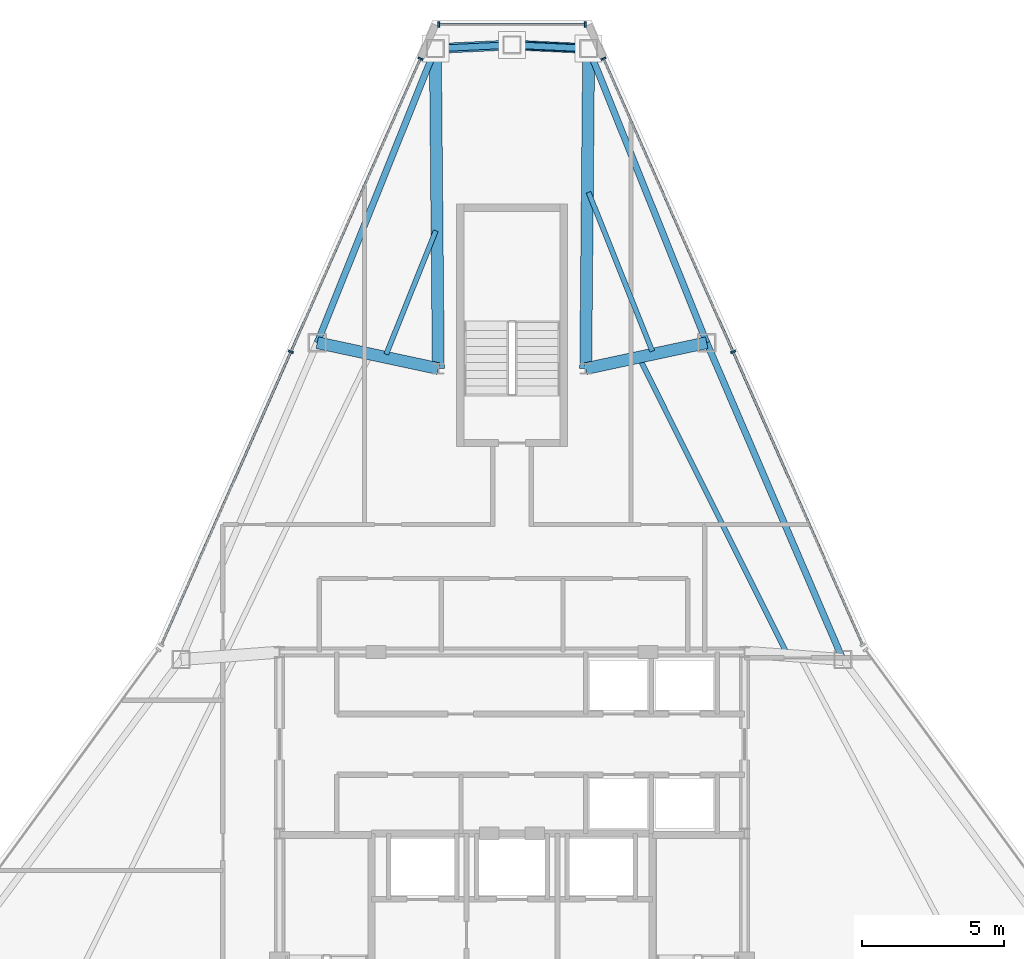
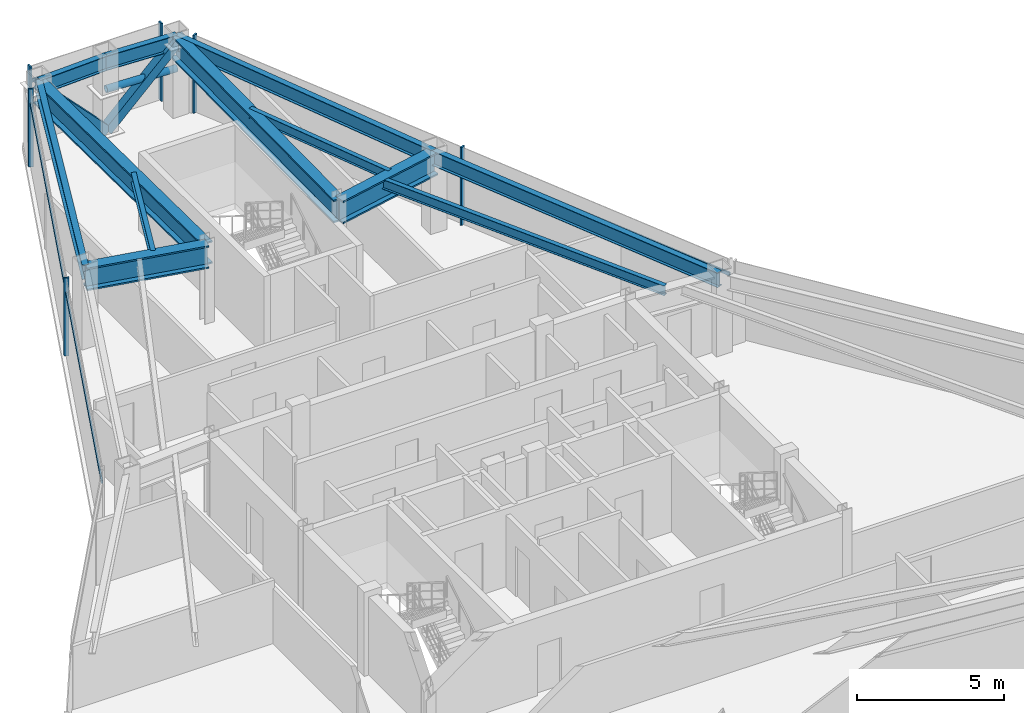
# One storey, part 7 of 12: 12 beams, 12 members, 3 elements without a shape of their own.
"""IFC4 building model written with IfcOpenShell, lengths in metres."""

from ifc_helpers import new_model, si_unit, direction, frame, origin, origin_2d, place, context, subcontext, project, spatial, rectangle, hollow_rectangle, hollow_circle, i_section, extrude, source, transform, mapped, material, layer, layer_set, material_profile, profile_set, type_object, type_shapes, element, aggregate, save


model = new_model("IFC4")

# Units and contexts
model_context = context("Model", 3, precision=1e-05, world=origin(), true_north=direction((0.0, 1.0)))
body_context = subcontext(model_context, "Body", "Model", "MODEL_VIEW")
ifc_project = project(units=[si_unit("LENGTHUNIT", "METRE"), si_unit("AREAUNIT", "SQUARE_METRE"), si_unit("VOLUMEUNIT", "CUBIC_METRE"), si_unit("PLANEANGLEUNIT", "RADIAN"), si_unit("MASSUNIT", "GRAM", prefix="KILO")], contexts=[model_context])

# Site, building, storey
site_placement = place(None, origin())
site = spatial("IfcSite", under=ifc_project, at=site_placement, CompositionType="ELEMENT")
building_placement = place(site_placement, origin())
building = spatial("IfcBuilding", under=site, at=building_placement, Name="Varakhsha Concourse Tower", CompositionType="ELEMENT")
storey_placement = place(building_placement, frame((0.0, 0.0, 265.5)))
storey = spatial("IfcBuildingStorey", under=building, at=storey_placement, Name="L75", CompositionType="ELEMENT", Elevation=265.5)

# Beams
ifc_material_1 = material(Name="Structural Steel ASTM A992 Grade 50", Category="steel")
ifc_material_profile_1 = material_profile(ifc_material_1, i_section(OverallWidth=0.177978515625, OverallDepth=0.406982421875, WebThickness=0.008056640625, FlangeThickness=0.012939453125, at=origin_2d()), Name="W16X40")
ifc_profile_set_1 = profile_set([ifc_material_profile_1], Name="Structural Steel ASTM A992 Grade 50")
beam_type_1 = type_object("IfcBeamType", Name="BM-JST-W16X40", PredefinedType="JOIST", material=ifc_profile_set_1)
beam_1_placement = place(storey_placement, frame((37.3134765625, 46.065185546875, 3.04638671875), z_axis=(-0.372581792415, -0.927999357737, 0.0), x_axis=(0.927999357737, -0.372581792415, 0.0)))
element("IfcBeam", 1, at=beam_1_placement, inside=storey, type_object=beam_type_1, Name="BM-TJST-L75-03", PredefinedType="JOIST", context=body_context, shape_type="SweptSolid", body=[
    extrude(i_section(OverallWidth=0.177978515625, OverallDepth=0.406982421875, WebThickness=0.008056640625, FlangeThickness=0.012939453125, at=origin_2d()), origin(), (0.0, 0.0, 1.0), 4.698974609375),
])
beam_2_placement = place(storey_placement, frame((49.677978515625, 31.18310546875, 3.04638671875), z_axis=(-0.446527703162, 0.894769808559, 0.0), x_axis=(-0.894769808559, -0.446527703162, 0.0)))
element("IfcBeam", 2, at=beam_2_placement, inside=storey, type_object=beam_type_1, Name="BM-TJST-L75-17", PredefinedType="JOIST", context=body_context, shape_type="SweptSolid", body=[
    extrude(i_section(OverallWidth=0.177978515625, OverallDepth=0.406982421875, WebThickness=0.008056640625, FlangeThickness=0.012939453125, at=origin_2d()), origin(), (0.0, 0.0, 1.0), 11.534912109375),
])
beam_3_placement = place(storey_placement, frame((44.949462890625, 41.814453125, 3.04638671875), z_axis=(-0.372526263969, 0.928021649884, 0.0), x_axis=(-0.928021649884, -0.372526263969, 0.0)))
element("IfcBeam", 3, at=beam_3_placement, inside=storey, type_object=beam_type_1, Name="BM-TJST-L75-18", PredefinedType="JOIST", context=body_context, shape_type="SweptSolid", body=[
    extrude(i_section(OverallWidth=0.177978515625, OverallDepth=0.406982421875, WebThickness=0.008056640625, FlangeThickness=0.012939453125, at=origin_2d()), origin(), (0.0, 0.0, 1.0), 6.04052734375),
])
ifc_material_profile_2 = material_profile(ifc_material_1, i_section(OverallWidth=0.423095703125, OverallDepth=0.947998046875, WebThickness=0.0380859375, FlangeThickness=0.06396484375, at=origin_2d()), Name="W36X302")
ifc_profile_set_2 = profile_set([ifc_material_profile_2], Name="Structural Steel ASTM A992 Grade 50")
beam_type_2 = type_object("IfcBeamType", Name="BM-OUTR-W36X302", PredefinedType="USERDEFINED", material=ifc_profile_set_2)
for number, where, z_axis, x_axis, name in (
    (4, (42.60009765625, 41.199951171875, 2.77587890625), (0.009168768167, 0.999957965962, 0.0), (-0.999957965962, 0.009168768167, 0.0), "L75 Radial Floor Girder 01"),
    (5, (37.39990234375, 41.199951171875, 2.77587890625), (-0.009168768167, 0.999957965962, 0.0), (-0.999957965962, -0.009168768167, 0.0), "L75 Radial Floor Girder 03"),
):
    element("IfcBeam", number, at=place(storey_placement, frame(where, z_axis=z_axis, x_axis=x_axis)), inside=storey, type_object=beam_type_2, Name=name, ObjectType="GIRDER", PredefinedType="USERDEFINED", context=body_context, shape_type="SweptSolid", body=[
        extrude(i_section(OverallWidth=0.423095703125, OverallDepth=0.947998046875, WebThickness=0.0380859375, FlangeThickness=0.06396484375, at=origin_2d()), origin(), (0.0, 0.0, 1.0), 11.2900390625),
    ])
for number, where, z_axis, x_axis, name in (
    (6, (37.39990234375, 41.199951171875, 2.77587890625), (-0.977799958889, 0.209540545951, 0.0), (-0.209540545951, -0.977799958889, 0.0), "L75 Radial Floor Girder 04"),
    (7, (42.60009765625, 41.199951171875, 2.77587890625), (0.977799958889, 0.209540545951, 0.0), (-0.209540545951, 0.977799958889, 0.0), "L75 Radial Floor Girder 18"),
):
    element("IfcBeam", number, at=place(storey_placement, frame(where, z_axis=z_axis, x_axis=x_axis)), inside=storey, type_object=beam_type_2, Name=name, ObjectType="GIRDER", PredefinedType="USERDEFINED", context=body_context, shape_type="SweptSolid", body=[
        extrude(i_section(OverallWidth=0.423095703125, OverallDepth=0.947998046875, WebThickness=0.0380859375, FlangeThickness=0.06396484375, at=origin_2d()), origin(), (0.0, 0.0, 1.0), 4.36572265625),
    ])
ifc_material_profile_3 = material_profile(ifc_material_1, i_section(OverallWidth=0.22900390625, OverallDepth=0.612060546875, WebThickness=0.011962890625, FlangeThickness=0.02001953125, at=origin_2d()), Name="W24X84")
ifc_profile_set_3 = profile_set([ifc_material_profile_3], Name="Structural Steel ASTM A992 Grade 50")
beam_type_3 = type_object("IfcBeamType", Name="BM-SPAN-W24X84", PredefinedType="SPANDREL", material=ifc_profile_set_3)
for number, where, z_axis, x_axis, name in (
    (8, (42.70361328125, 52.489501953125, 2.944091796875), (-0.998890878877, 0.047085157917, 0.0), (-0.047085157917, -0.998890878877, 0.0), "BM-SPAN-L75-01"),
    (9, (40.0, 52.616943359375, 2.944091796875), (-0.998890878877, -0.047085157917, 0.0), (0.047085157917, -0.998890878877, 0.0), "BM-SPAN-L75-02"),
):
    element("IfcBeam", number, at=place(storey_placement, frame(where, z_axis=z_axis, x_axis=x_axis)), inside=storey, type_object=beam_type_3, Name=name, PredefinedType="SPANDREL", context=body_context, shape_type="SweptSolid", body=[
        extrude(i_section(OverallWidth=0.22900390625, OverallDepth=0.612060546875, WebThickness=0.011962890625, FlangeThickness=0.02001953125, at=origin_2d()), origin(), (0.0, 0.0, 1.0), 2.70654296875),
    ])
beam_4_placement = place(storey_placement, frame((37.29638671875, 52.489501953125, 2.944091796875), z_axis=(-0.372576397184, -0.928001523846, 0.0), x_axis=(0.928001523846, -0.372576397184, 0.0)))
element("IfcBeam", 10, at=beam_4_placement, inside=storey, type_object=beam_type_3, Name="BM-SPAN-L75-03", PredefinedType="SPANDREL", context=body_context, shape_type="SweptSolid", body=[
    extrude(i_section(OverallWidth=0.22900390625, OverallDepth=0.612060546875, WebThickness=0.011962890625, FlangeThickness=0.02001953125, at=origin_2d()), origin(), (0.0, 0.0, 1.0), 11.1796875),
])
beam_5_placement = place(storey_placement, frame((51.6708984375, 30.938232421875, 2.944091796875), z_axis=(-0.394757231192, 0.918785463763, 0.0), x_axis=(-0.918785463763, -0.394757231192, 0.0)))
element("IfcBeam", 11, at=beam_5_placement, inside=storey, type_object=beam_type_3, Name="BM-SPAN-L75-17", PredefinedType="SPANDREL", context=body_context, shape_type="SweptSolid", body=[
    extrude(i_section(OverallWidth=0.22900390625, OverallDepth=0.612060546875, WebThickness=0.011962890625, FlangeThickness=0.02001953125, at=origin_2d()), origin(), (0.0, 0.0, 1.0), 12.16455078125),
])
beam_6_placement = place(storey_placement, frame((46.868896484375, 42.11474609375, 2.944091796875), z_axis=(-0.372576397184, 0.928001523846, 0.0), x_axis=(-0.928001523846, -0.372576397184, 0.0)))
element("IfcBeam", 12, at=beam_6_placement, inside=storey, type_object=beam_type_3, Name="BM-SPAN-L75-18", PredefinedType="SPANDREL", context=body_context, shape_type="SweptSolid", body=[
    extrude(i_section(OverallWidth=0.22900390625, OverallDepth=0.612060546875, WebThickness=0.011962890625, FlangeThickness=0.02001953125, at=origin_2d()), origin(), (0.0, 0.0, 1.0), 11.1796875),
])

# Members
ifc_material_2 = material(Name="Structural Steel ASTM A500 Grade C", Category="steel")
ifc_material_profile_4 = material_profile(ifc_material_2, hollow_rectangle(XDim=0.35009765625, YDim=0.35009765625, WallThickness=0.01611328125, at=origin_2d()), Name="HSS 350x350x16")
ifc_profile_set_4 = profile_set([ifc_material_profile_4], Name="Structural Steel ASTM A500 Grade C")
member_type_1 = type_object("IfcMemberType", Name="MB-TUBE-HSS350", PredefinedType="BRACE", material=ifc_profile_set_4)
shared_shape_1 = source(origin(), body_context, "Body", "SweptSolid", [
    extrude(hollow_rectangle(XDim=0.35009765625, YDim=0.35009765625, WallThickness=0.01611328125, at=origin_2d()), origin(), (0.0, 0.0, 1.0), 3.915771484375),
])
type_shapes(member_type_1, [shared_shape_1])
for number, where, z_axis, x_axis, name in (
    (13, (40.0, 52.616943359375, 0.1201171875), (0.690431687737, -0.032545181596, 0.722665133878), (0.047085157917, 0.998890878877, 0.0), "L75 Wind-Corner Tube Brace B01"),
    (14, (40.0, 52.616943359375, 0.1201171875), (-0.690431687737, -0.032545181596, 0.722665133878), (0.047085157917, -0.998890878877, 0.0), "L75 Wind-Corner Tube Brace B02"),
):
    element("IfcMember", number, at=place(storey_placement, frame(where, z_axis=z_axis, x_axis=x_axis)), inside=storey, type_object=member_type_1, Name=name, PredefinedType="BRACE", context=body_context, shape_type="MappedRepresentation", body=[
        mapped(shared_shape_1, transform((0.0, 0.0, 0.0), scale=1.0)),
    ])
ifc_material_profile_5 = material_profile(ifc_material_2, hollow_circle(Radius=0.136474609375, WallThickness=0.011962890625, at=origin_2d()), Name="CHS 273x12")
ifc_profile_set_5 = profile_set([ifc_material_profile_5], Name="Structural Steel ASTM A500 Grade C")
member_type_2 = type_object("IfcMemberType", Name="MB-WIND-CHS273", PredefinedType="COLLAR", material=ifc_profile_set_5)
shared_shape_2 = source(origin(), body_context, "Body", "SweptSolid", [
    extrude(hollow_circle(Radius=0.136474609375, WallThickness=0.011962890625, at=origin_2d()), origin(), (0.0, 0.0, 1.0), 2.70654296875),
])
type_shapes(member_type_2, [shared_shape_2])
member_1_placement = place(storey_placement, frame((42.70361328125, 52.489501953125, 1.800048828125), z_axis=(-0.998890878877, 0.047085157917, 0.0), x_axis=(-0.047085157917, -0.998890878877, 0.0)))
element("IfcMember", 15, at=member_1_placement, inside=storey, type_object=member_type_2, Name="L75 Wind-Corner Collar Tie 1", PredefinedType="COLLAR", context=body_context, shape_type="MappedRepresentation", body=[
    mapped(shared_shape_2, transform((0.0, 0.0, 0.0), scale=1.0)),
])

# Curtain wall, members
ifc_material_3 = material(Name="Anodised Bronze Architectural Aluminium AA 6063-T6", Category="aluminium")
ifc_layer = layer(ifc_material_3, 0.199951171875, Name="CW-SYS-05")
ifc_layer_set = layer_set([ifc_layer], Name="Anodised Bronze Architectural Aluminium AA 6063-T6")
curtain_wall_type = type_object("IfcCurtainWallType", Name="CW-SYS-05", PredefinedType="NOTDEFINED", material=ifc_layer_set)
curtain_wall_1_placement = place(storey_placement, origin())
curtain_wall_1 = element("IfcCurtainWall", 16, at=curtain_wall_1_placement, inside=storey, type_object=curtain_wall_type, Name="L75 Chamfer Curtain Wall F1", PredefinedType="NOTDEFINED")
ifc_material_profile_6 = material_profile(ifc_material_3, rectangle(XDim=0.06494140625, YDim=0.179931640625, at=origin_2d()), Name="CWM-180X65")
ifc_profile_set_6 = profile_set([ifc_material_profile_6], Name="Anodised Bronze Architectural Aluminium AA 6063-T6")
member_type_3 = type_object("IfcMemberType", Name="CWM-180X65", PredefinedType="MULLION", material=ifc_profile_set_6)
shared_shape_3 = source(origin(), body_context, "Body", "SweptSolid", [
    extrude(rectangle(XDim=0.06494140625, YDim=0.179931640625, at=origin_2d()), origin(), (0.0, 0.0, 1.0), 3.25),
])
type_shapes(member_type_3, [shared_shape_3])
member_2_placement = place(storey_placement, frame((37.419921875, 53.3369140625, 0.0), z_axis=(0.0, 0.0, 1.0), x_axis=(1.0, 0.0, 0.0)))
member_2 = element("IfcMember", 17, at=member_2_placement, type_object=member_type_3, Name="CW-L75-F1 Mullion 00", PredefinedType="MULLION", context=body_context, shape_type="MappedRepresentation", body=[
    mapped(shared_shape_3, transform((0.0, 0.0, 0.0), scale=1.0)),
])
member_3_placement = place(storey_placement, frame((42.580078125, 53.3369140625, 0.0), z_axis=(0.0, 0.0, 1.0), x_axis=(1.0, 0.0, 0.0)))
member_3 = element("IfcMember", 18, at=member_3_placement, type_object=member_type_3, Name="CW-L75-F1 Mullion 01", PredefinedType="MULLION", context=body_context, shape_type="MappedRepresentation", body=[
    mapped(shared_shape_3, transform((0.0, 0.0, 0.0), scale=1.0)),
])

curtain_wall_2_placement = place(storey_placement, origin())
curtain_wall_2 = element("IfcCurtainWall", 19, at=curtain_wall_2_placement, inside=storey, type_object=curtain_wall_type, Name="L75 Crystal Curtain Wall F2", PredefinedType="NOTDEFINED")
member_4_placement = place(storey_placement, frame((32.201904296875, 41.793212890625, 0.0), z_axis=(0.0, 0.0, 1.0), x_axis=(0.404273357549, 0.914638208461, 0.0)))
member_4 = element("IfcMember", 20, at=member_4_placement, type_object=member_type_3, Name="CW-L75-F2 Mullion 01", PredefinedType="MULLION", context=body_context, shape_type="MappedRepresentation", body=[
    mapped(shared_shape_3, transform((0.0, 0.0, 0.0), scale=1.0)),
])
member_5_placement = place(storey_placement, frame((36.772216796875, 52.133544921875, 0.0), z_axis=(0.0, 0.0, 1.0), x_axis=(0.404273357549, 0.914638208461, 0.0)))
member_5 = element("IfcMember", 21, at=member_5_placement, type_object=member_type_3, Name="CW-L75-F2 Mullion 02", PredefinedType="MULLION", context=body_context, shape_type="MappedRepresentation", body=[
    mapped(shared_shape_3, transform((0.0, 0.0, 0.0), scale=1.0)),
])

curtain_wall_3_placement = place(storey_placement, origin())
curtain_wall_3 = element("IfcCurtainWall", 22, at=curtain_wall_3_placement, inside=storey, type_object=curtain_wall_type, Name="L75 Crystal Curtain Wall F9", PredefinedType="NOTDEFINED")
member_6_placement = place(storey_placement, frame((43.227783203125, 52.133544921875, 0.0), z_axis=(0.0, 0.0, 1.0), x_axis=(0.404273357549, -0.914638208461, 0.0)))
member_6 = element("IfcMember", 23, at=member_6_placement, type_object=member_type_3, Name="CW-L75-F9 Mullion 00", PredefinedType="MULLION", context=body_context, shape_type="MappedRepresentation", body=[
    mapped(shared_shape_3, transform((0.0, 0.0, 0.0), scale=1.0)),
])
member_7_placement = place(storey_placement, frame((47.798095703125, 41.793212890625, 0.0), z_axis=(0.0, 0.0, 1.0), x_axis=(0.404273357549, -0.914638208461, 0.0)))
member_7 = element("IfcMember", 24, at=member_7_placement, type_object=member_type_3, Name="CW-L75-F9 Mullion 01", PredefinedType="MULLION", context=body_context, shape_type="MappedRepresentation", body=[
    mapped(shared_shape_3, transform((0.0, 0.0, 0.0), scale=1.0)),
])

# Member
ifc_material_profile_7 = material_profile(ifc_material_3, rectangle(XDim=0.06005859375, YDim=0.139892578125, at=origin_2d()), Name="CWT-140X60")
ifc_profile_set_7 = profile_set([ifc_material_profile_7], Name="Anodised Bronze Architectural Aluminium AA 6063-T6")
member_type_4 = type_object("IfcMemberType", Name="CWT-140X60", PredefinedType="USERDEFINED", material=ifc_profile_set_7)
shared_shape_4 = source(origin(), body_context, "Body", "SweptSolid", [
    extrude(rectangle(XDim=0.06005859375, YDim=0.139892578125, at=origin_2d()), origin(), (0.0, 0.0, 1.0), 5.16015625),
])
member_8_placement = place(storey_placement, frame((37.419921875, 53.3369140625, 2.60009765625), z_axis=(1.0, 0.0, 0.0), x_axis=(0.0, 1.0, 0.0)))
member_8 = element("IfcMember", 25, at=member_8_placement, type_object=member_type_4, Name="CW-L75-F1 Transom 01", ObjectType="TRANSOM", PredefinedType="USERDEFINED", context=body_context, shape_type="MappedRepresentation", body=[
    mapped(shared_shape_4, transform((0.0, 0.0, 0.0), scale=1.0)),
])

aggregate(curtain_wall_1, [member_2, member_3, member_8])

shared_shape_5 = source(origin(), body_context, "Body", "SweptSolid", [
    extrude(rectangle(XDim=0.06005859375, YDim=0.139892578125, at=origin_2d()), origin(), (0.0, 0.0, 1.0), 22.61083984375),
])
type_shapes(member_type_4, [shared_shape_4, shared_shape_5])
member_9_placement = place(storey_placement, frame((27.63134765625, 31.45263671875, 2.60009765625), z_axis=(0.404267208087, 0.91464092652, 0.0), x_axis=(-0.91464092652, 0.404267208087, 0.0)))
member_9 = element("IfcMember", 26, at=member_9_placement, type_object=member_type_4, Name="CW-L75-F2 Transom 01", ObjectType="TRANSOM", PredefinedType="USERDEFINED", context=body_context, shape_type="MappedRepresentation", body=[
    mapped(shared_shape_5, transform((0.0, 0.0, 0.0), scale=1.0)),
])

aggregate(curtain_wall_2, [member_4, member_5, member_9])

member_10_placement = place(storey_placement, frame((43.227783203125, 52.133544921875, 2.60009765625), z_axis=(0.404267208087, -0.91464092652, 0.0), x_axis=(0.91464092652, 0.404267208087, 0.0)))
member_10 = element("IfcMember", 27, at=member_10_placement, type_object=member_type_4, Name="CW-L75-F9 Transom 01", ObjectType="TRANSOM", PredefinedType="USERDEFINED", context=body_context, shape_type="MappedRepresentation", body=[
    mapped(shared_shape_5, transform((0.0, 0.0, 0.0), scale=1.0)),
])

aggregate(curtain_wall_3, [member_6, member_7, member_10])

save(model, "model.ifc")
